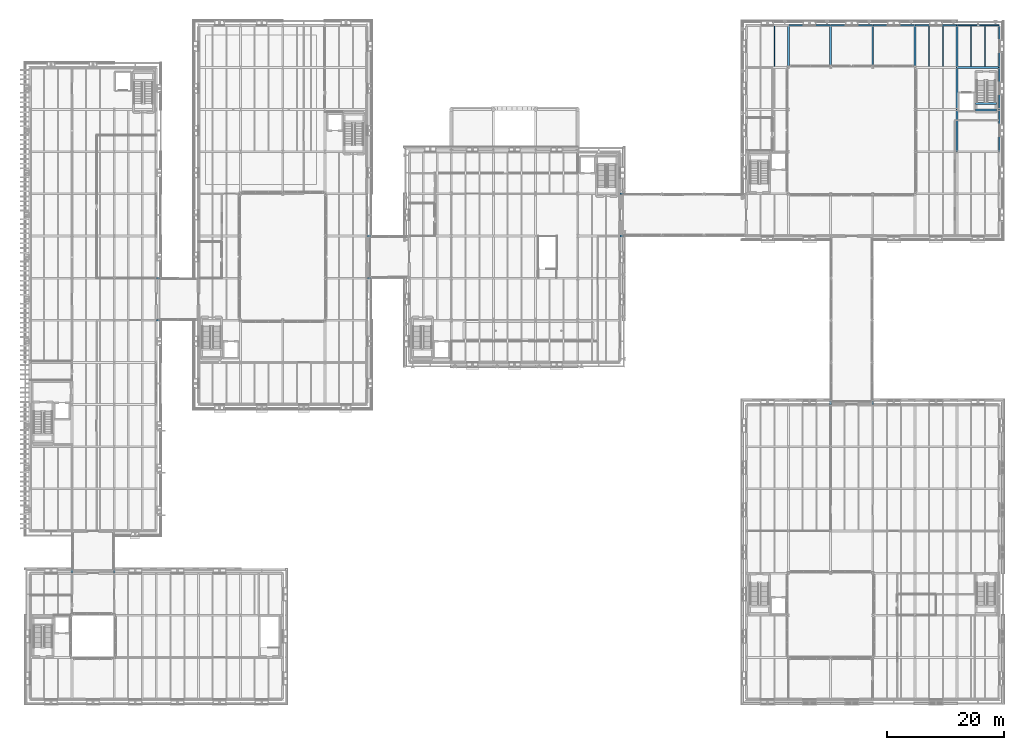
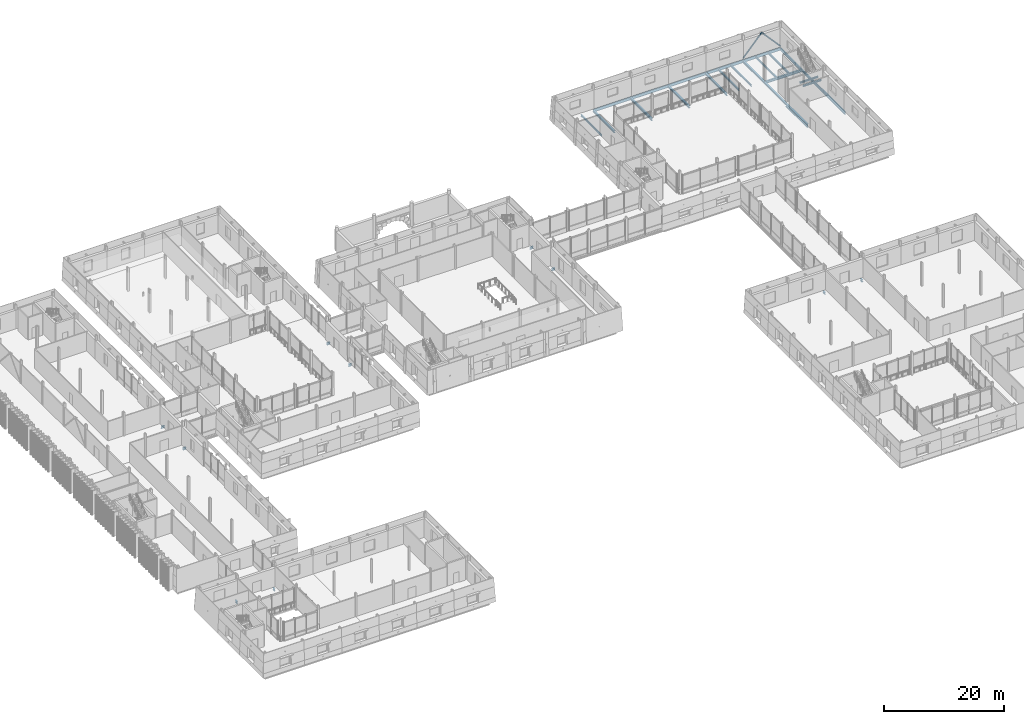
# One storey, part 49 of 121: 33 beams, 2 members.
"""IFC4 building model written with IfcOpenShell, lengths in metres."""

from ifc_helpers import new_model, si_unit, direction, frame, origin, origin_2d, place, context, subcontext, project, spatial, hollow_circle, i_section, extrude, material, material_profile, profile_set, type_object, element, save


model = new_model("IFC4")

# Units and contexts
model_context = context("Model", 3, precision=1e-05, world=origin(), true_north=direction((0.0, 1.0)))
body_context = subcontext(model_context, "Body", "Model", "MODEL_VIEW")
ifc_project = project(units=[si_unit("LENGTHUNIT", "METRE"), si_unit("AREAUNIT", "SQUARE_METRE"), si_unit("VOLUMEUNIT", "CUBIC_METRE"), si_unit("PLANEANGLEUNIT", "RADIAN"), si_unit("MASSUNIT", "GRAM", prefix="KILO")], contexts=[model_context])

# Site, building, storey
site_placement = place(None, origin())
site = spatial("IfcSite", under=ifc_project, at=site_placement, CompositionType="ELEMENT")
building_placement = place(site_placement, origin())
building = spatial("IfcBuilding", under=site, at=building_placement, Name="Narikvali Park Central Library", CompositionType="ELEMENT")
storey_placement = place(building_placement, frame((0.0, 0.0, 5.39990234375)))
storey = spatial("IfcBuildingStorey", under=building, at=storey_placement, Name="L01", CompositionType="ELEMENT", Elevation=5.39990234375)

# Beams
ifc_material = material(Name="Steel S355", Category="steel")
ifc_material_profile_1 = material_profile(ifc_material, i_section(OverallWidth=0.300048828125, OverallDepth=0.449951171875, WebThickness=0.013916015625, FlangeThickness=0.02587890625, FilletRadius=0.027099609375, at=origin_2d()), Name="HEB 450")
ifc_profile_set_1 = profile_set([ifc_material_profile_1], Name="Steel S355")
beam_type_1 = type_object("IfcBeamType", Name="Bridge Sliding Corbel Seat HEB450", PredefinedType="BEAM", material=ifc_profile_set_1)
for number, where, z_axis, x_axis, name in (
    (1, (21.60009765625, 64.800048828125, -0.90478515625), (1.0, 0.0, 0.0), (0.0, 1.0, 0.0), "BRG-1 L01 Bridge Sliding Corbel Seat 650 1"),
    (2, (21.60009765625, 72.0, -0.90478515625), (1.0, 0.0, 0.0), (0.0, 1.0, 0.0), "BRG-1 L01 Bridge Sliding Corbel Seat 650 2"),
    (3, (57.60009765625, 72.0, -0.90478515625), (1.0, 0.0, 0.0), (0.0, 1.0, 0.0), "BRG-2 L01 Bridge Sliding Corbel Seat 650 1"),
    (4, (57.60009765625, 79.199951171875, -0.90478515625), (1.0, 0.0, 0.0), (0.0, 1.0, 0.0), "BRG-2 L01 Bridge Sliding Corbel Seat 650 2"),
    (5, (100.800048828125, 79.199951171875, -0.94482421875), (1.0, 0.0, 0.0), (0.0, 1.0, 0.0), "BRG-3 L01 Bridge Sliding Corbel Seat 650 1"),
    (6, (100.800048828125, 86.39990234375, -0.94482421875), (1.0, 0.0, 0.0), (0.0, 1.0, 0.0), "BRG-3 L01 Bridge Sliding Corbel Seat 650 2"),
):
    element("IfcBeam", number, at=place(storey_placement, frame(where, z_axis=z_axis, x_axis=x_axis)), inside=storey, type_object=beam_type_1, Name=name, PredefinedType="BEAM", context=body_context, shape_type="SweptSolid", body=[
        extrude(i_section(OverallWidth=0.300048828125, OverallDepth=0.449951171875, WebThickness=0.013916015625, FlangeThickness=0.02587890625, FilletRadius=0.027099609375, at=origin_2d()), origin(), (0.0, 0.0, 1.0), 0.64990234375),
    ])
for number, where, z_axis, x_axis, name in (
    (7, (136.800048828125, 50.39990234375, -0.914794921875), (0.0, 1.0, 0.0), (-1.0, 0.0, 0.0), "BRG-4 L01 Bridge Sliding Corbel Seat 650 1"),
    (8, (144.0, 50.39990234375, -0.914794921875), (0.0, 1.0, 0.0), (-1.0, 0.0, 0.0), "BRG-4 L01 Bridge Sliding Corbel Seat 650 2"),
):
    element("IfcBeam", number, at=place(storey_placement, frame(where, z_axis=z_axis, x_axis=x_axis)), inside=storey, type_object=beam_type_1, Name=name, PredefinedType="BEAM", context=body_context, shape_type="SweptSolid", body=[
        extrude(i_section(OverallWidth=0.300048828125, OverallDepth=0.449951171875, WebThickness=0.013916015625, FlangeThickness=0.02587890625, FilletRadius=0.027099609375, at=origin_2d()), origin(), (0.0, 0.0, 1.0), 0.650146484375),
    ])
for number, where, z_axis, x_axis, name in (
    (9, (7.199951171875, 21.60009765625, -0.90478515625), (0.0, 1.0, 0.0), (-1.0, 0.0, 0.0), "BRG-5 L01 Bridge Sliding Corbel Seat 650 1"),
    (10, (14.39990234375, 21.60009765625, -0.90478515625), (0.0, 1.0, 0.0), (-1.0, 0.0, 0.0), "BRG-5 L01 Bridge Sliding Corbel Seat 650 2"),
):
    element("IfcBeam", number, at=place(storey_placement, frame(where, z_axis=z_axis, x_axis=x_axis)), inside=storey, type_object=beam_type_1, Name=name, PredefinedType="BEAM", context=body_context, shape_type="SweptSolid", body=[
        extrude(i_section(OverallWidth=0.300048828125, OverallDepth=0.449951171875, WebThickness=0.013916015625, FlangeThickness=0.02587890625, FilletRadius=0.027099609375, at=origin_2d()), origin(), (0.0, 0.0, 1.0), 0.64990234375),
    ])
ifc_material_profile_2 = material_profile(ifc_material, i_section(OverallWidth=0.179931640625, OverallDepth=0.39990234375, WebThickness=0.008544921875, FlangeThickness=0.013427734375, FilletRadius=0.02099609375, at=origin_2d()), Name="IPE 400")
ifc_profile_set_2 = profile_set([ifc_material_profile_2], Name="Steel S355")
beam_type_2 = type_object("IfcBeamType", Name="Composite Floor Joist IPE400", PredefinedType="JOIST", material=ifc_profile_set_2)
for number, where, z_axis, x_axis, name in (
    (11, (127.199951171875, 108.14990234375, -0.47998046875), (0.0, 1.0, 0.0), (-1.0, 0.0, 0.0), "V3 L01 Composite Joist 2"),
    (12, (153.60009765625, 108.14990234375, -0.47998046875), (0.0, 1.0, 0.0), (-1.0, 0.0, 0.0), "V3 L01 Composite Joist 1"),
    (13, (156.0, 108.14990234375, -0.47998046875), (0.0, 1.0, 0.0), (-1.0, 0.0, 0.0), "V3 L01 Composite Joist 2"),
    (14, (160.800048828125, 108.14990234375, -0.47998046875), (0.0, 1.0, 0.0), (-1.0, 0.0, 0.0), "V3 L01 Composite Joist 1"),
    (15, (163.199951171875, 108.14990234375, -0.47998046875), (0.0, 1.0, 0.0), (-1.0, 0.0, 0.0), "V3 L01 Composite Joist 2"),
):
    element("IfcBeam", number, at=place(storey_placement, frame(where, z_axis=z_axis, x_axis=x_axis)), inside=storey, type_object=beam_type_2, Name=name, PredefinedType="JOIST", context=body_context, shape_type="SweptSolid", body=[
        extrude(i_section(OverallWidth=0.179931640625, OverallDepth=0.39990234375, WebThickness=0.008544921875, FlangeThickness=0.013427734375, FilletRadius=0.02099609375, at=origin_2d()), origin(), (0.0, 0.0, 1.0), 6.945068359375),
    ])
ifc_material_profile_3 = material_profile(ifc_material, i_section(OverallWidth=0.280029296875, OverallDepth=0.280029296875, WebThickness=0.010498046875, FlangeThickness=0.01806640625, FilletRadius=0.02392578125, at=origin_2d()), Name="HEB 280")
ifc_profile_set_3 = profile_set([ifc_material_profile_3], Name="Steel S355")
beam_type_3 = type_object("IfcBeamType", Name="Core Trimmer Girder HEB280", PredefinedType="BEAM", material=ifc_profile_set_3)
for number, where, z_axis, x_axis, name in (
    (16, (161.570068359375, 100.719970703125, 2.06005859375), (1.0, 0.0, 0.0), (0.0, 1.0, 0.0), "ST-06 L01 Landing Trimmer Beam 1-1"),
    (17, (161.570068359375, 101.824951171875, 2.06005859375), (1.0, 0.0, 0.0), (0.0, 1.0, 0.0), "ST-06 L01 Landing Trimmer Beam 1-2"),
):
    element("IfcBeam", number, at=place(storey_placement, frame(where, z_axis=z_axis, x_axis=x_axis)), inside=storey, type_object=beam_type_3, Name=name, PredefinedType="BEAM", context=body_context, shape_type="SweptSolid", body=[
        extrude(i_section(OverallWidth=0.280029296875, OverallDepth=0.280029296875, WebThickness=0.010498046875, FlangeThickness=0.01806640625, FilletRadius=0.02392578125, at=origin_2d()), origin(), (0.0, 0.0, 1.0), 3.559814453125),
    ])
ifc_material_profile_4 = material_profile(ifc_material, i_section(OverallWidth=0.300048828125, OverallDepth=0.699951171875, WebThickness=0.01708984375, FlangeThickness=0.031982421875, FilletRadius=0.027099609375, at=origin_2d()), Name="HEB 700")
ifc_profile_set_4 = profile_set([ifc_material_profile_4], Name="Steel S355")
beam_type_4 = type_object("IfcBeamType", Name="Long Span Girder HEB700", PredefinedType="BEAM", material=ifc_profile_set_4)
beam_1_placement = place(storey_placement, frame((158.39990234375, 93.60791015625, -0.6298828125), z_axis=(0.0, 1.0, 0.0), x_axis=(-1.0, 0.0, 0.0)))
element("IfcBeam", 18, at=beam_1_placement, inside=storey, type_object=beam_type_4, Name="V3 L01 Girder Y", PredefinedType="BEAM", context=body_context, shape_type="SweptSolid", body=[
    extrude(i_section(OverallWidth=0.300048828125, OverallDepth=0.699951171875, WebThickness=0.01708984375, FlangeThickness=0.031982421875, FilletRadius=0.027099609375, at=origin_2d()), origin(), (0.0, 0.0, 1.0), 7.18408203125),
])
ifc_material_profile_5 = material_profile(ifc_material, i_section(OverallWidth=0.2099609375, OverallDepth=0.550048828125, WebThickness=0.010986328125, FlangeThickness=0.01708984375, FilletRadius=0.02392578125, at=origin_2d()), Name="IPE 550")
ifc_profile_set_5 = profile_set([ifc_material_profile_5], Name="Steel S355")
beam_type_5 = type_object("IfcBeamType", Name="Perimeter Spandrel IPE550", PredefinedType="SPANDREL", material=ifc_profile_set_5)
beam_2_placement = place(storey_placement, frame((129.60791015625, 115.199951171875, -0.554931640625), z_axis=(1.0, 0.0, 0.0), x_axis=(0.0, 1.0, 0.0)))
element("IfcBeam", 19, at=beam_2_placement, inside=storey, type_object=beam_type_5, Name="V3 L01 Girder X", PredefinedType="SPANDREL", context=body_context, shape_type="SweptSolid", body=[
    extrude(i_section(OverallWidth=0.2099609375, OverallDepth=0.550048828125, WebThickness=0.010986328125, FlangeThickness=0.01708984375, FilletRadius=0.02392578125, at=origin_2d()), origin(), (0.0, 0.0, 1.0), 7.18408203125),
])
for number, where, z_axis, x_axis, name in (
    (20, (136.80810546875, 115.199951171875, -0.554931640625), (1.0, 0.0, 0.0), (0.0, 1.0, 0.0), "V3 L01 Girder X"),
    (21, (144.008056640625, 115.199951171875, -0.554931640625), (1.0, 0.0, 0.0), (0.0, 1.0, 0.0), "V3 L01 Girder X"),
):
    element("IfcBeam", number, at=place(storey_placement, frame(where, z_axis=z_axis, x_axis=x_axis)), inside=storey, type_object=beam_type_5, Name=name, PredefinedType="SPANDREL", context=body_context, shape_type="SweptSolid", body=[
        extrude(i_section(OverallWidth=0.2099609375, OverallDepth=0.550048828125, WebThickness=0.010986328125, FlangeThickness=0.01708984375, FilletRadius=0.02392578125, at=origin_2d()), origin(), (0.0, 0.0, 1.0), 7.183837890625),
    ])
for number, where, z_axis, x_axis, name in (
    (22, (151.2080078125, 115.199951171875, -0.554931640625), (1.0, 0.0, 0.0), (0.0, 1.0, 0.0), "V3 L01 Girder X"),
    (23, (158.407958984375, 115.199951171875, -0.554931640625), (1.0, 0.0, 0.0), (0.0, 1.0, 0.0), "V3 L01 Girder X"),
    (24, (165.60009765625, 93.60791015625, -0.554931640625), (0.0, 1.0, 0.0), (-1.0, 0.0, 0.0), "V3 L01 Girder Y"),
):
    element("IfcBeam", number, at=place(storey_placement, frame(where, z_axis=z_axis, x_axis=x_axis)), inside=storey, type_object=beam_type_5, Name=name, PredefinedType="SPANDREL", context=body_context, shape_type="SweptSolid", body=[
        extrude(i_section(OverallWidth=0.2099609375, OverallDepth=0.550048828125, WebThickness=0.010986328125, FlangeThickness=0.01708984375, FilletRadius=0.02392578125, at=origin_2d()), origin(), (0.0, 0.0, 1.0), 7.18408203125),
    ])
for number, where, z_axis, x_axis, name in (
    (25, (165.60009765625, 100.80810546875, -0.554931640625), (0.0, 1.0, 0.0), (-1.0, 0.0, 0.0), "V3 L01 Girder Y"),
    (26, (165.60009765625, 108.008056640625, -0.554931640625), (0.0, 1.0, 0.0), (-1.0, 0.0, 0.0), "V3 L01 Girder Y"),
):
    element("IfcBeam", number, at=place(storey_placement, frame(where, z_axis=z_axis, x_axis=x_axis)), inside=storey, type_object=beam_type_5, Name=name, PredefinedType="SPANDREL", context=body_context, shape_type="SweptSolid", body=[
        extrude(i_section(OverallWidth=0.2099609375, OverallDepth=0.550048828125, WebThickness=0.010986328125, FlangeThickness=0.01708984375, FilletRadius=0.02392578125, at=origin_2d()), origin(), (0.0, 0.0, 1.0), 7.183837890625),
    ])
ifc_material_profile_6 = material_profile(ifc_material, i_section(OverallWidth=0.300048828125, OverallDepth=0.43994140625, WebThickness=0.011474609375, FlangeThickness=0.02099609375, FilletRadius=0.027099609375, at=origin_2d()), Name="HEA 450")
ifc_profile_set_6 = profile_set([ifc_material_profile_6], Name="Steel S355")
beam_type_6 = type_object("IfcBeamType", Name="Primary Girder HEA450", PredefinedType="BEAM", material=ifc_profile_set_6)
for number, where, z_axis, x_axis, name in (
    (27, (129.60009765625, 108.008056640625, -0.5), (0.0, 1.0, 0.0), (-1.0, 0.0, 0.0), "V3 L01 Girder Y"),
    (28, (136.800048828125, 108.008056640625, -0.5), (0.0, 1.0, 0.0), (-1.0, 0.0, 0.0), "V3 L01 Girder Y"),
    (29, (144.0, 108.008056640625, -0.5), (0.0, 1.0, 0.0), (-1.0, 0.0, 0.0), "V3 L01 Girder Y"),
    (30, (151.199951171875, 108.008056640625, -0.5), (0.0, 1.0, 0.0), (-1.0, 0.0, 0.0), "V3 L01 Girder Y"),
    (31, (158.39990234375, 100.80810546875, -0.5), (0.0, 1.0, 0.0), (-1.0, 0.0, 0.0), "V3 L01 Girder Y"),
    (32, (158.39990234375, 108.008056640625, -0.5), (0.0, 1.0, 0.0), (-1.0, 0.0, 0.0), "V3 L01 Girder Y"),
):
    element("IfcBeam", number, at=place(storey_placement, frame(where, z_axis=z_axis, x_axis=x_axis)), inside=storey, type_object=beam_type_6, Name=name, PredefinedType="BEAM", context=body_context, shape_type="SweptSolid", body=[
        extrude(i_section(OverallWidth=0.300048828125, OverallDepth=0.43994140625, WebThickness=0.011474609375, FlangeThickness=0.02099609375, FilletRadius=0.027099609375, at=origin_2d()), origin(), (0.0, 0.0, 1.0), 7.183837890625),
    ])
ifc_material_profile_7 = material_profile(ifc_material, i_section(OverallWidth=0.300048828125, OverallDepth=0.489990234375, WebThickness=0.011962890625, FlangeThickness=0.02294921875, FilletRadius=0.027099609375, at=origin_2d()), Name="HEA 500")
ifc_profile_set_7 = profile_set([ifc_material_profile_7], Name="Steel S355")
beam_type_7 = type_object("IfcBeamType", Name="Primary Girder HEA500", PredefinedType="BEAM", material=ifc_profile_set_7)
beam_3_placement = place(storey_placement, frame((158.407958984375, 108.0, -0.52490234375), z_axis=(1.0, 0.0, 0.0), x_axis=(0.0, 1.0, 0.0)))
element("IfcBeam", 33, at=beam_3_placement, inside=storey, type_object=beam_type_7, Name="V3 L01 Girder X", PredefinedType="BEAM", context=body_context, shape_type="SweptSolid", body=[
    extrude(i_section(OverallWidth=0.300048828125, OverallDepth=0.489990234375, WebThickness=0.011962890625, FlangeThickness=0.02294921875, FilletRadius=0.027099609375, at=origin_2d()), origin(), (0.0, 0.0, 1.0), 7.18408203125),
])

# Members
ifc_material_profile_8 = material_profile(ifc_material, hollow_circle(Radius=0.136474609375, WallThickness=0.012451171875, at=origin_2d()), Name="CHS 273x12.5")
ifc_profile_set_8 = profile_set([ifc_material_profile_8], Name="Steel S355")
member_type = type_object("IfcMemberType", Name="Seismic Chevron Brace CHS273", PredefinedType="BRACE", material=ifc_profile_set_8)
for number, where, z_axis, x_axis, name in (
    (34, (158.4150390625, 115.199951171875, 0.01513671875), (0.668818765569, 0.0, 0.743425489759), (0.0, 1.0, 0.0), "V3 L01 Seismic Chevron Brace A"),
    (35, (165.5849609375, 115.199951171875, 0.01513671875), (-0.668818765569, 0.0, 0.743425489759), (0.0, -1.0, 0.0), "V3 L01 Seismic Chevron Brace B"),
):
    element("IfcMember", number, at=place(storey_placement, frame(where, z_axis=z_axis, x_axis=x_axis)), inside=storey, type_object=member_type, Name=name, PredefinedType="BRACE", context=body_context, shape_type="SweptSolid", body=[
        extrude(hollow_circle(Radius=0.136474609375, WallThickness=0.012451171875, at=origin_2d()), origin(), (0.0, 0.0, 1.0), 5.360107421875),
    ])

save(model, "model.ifc")
